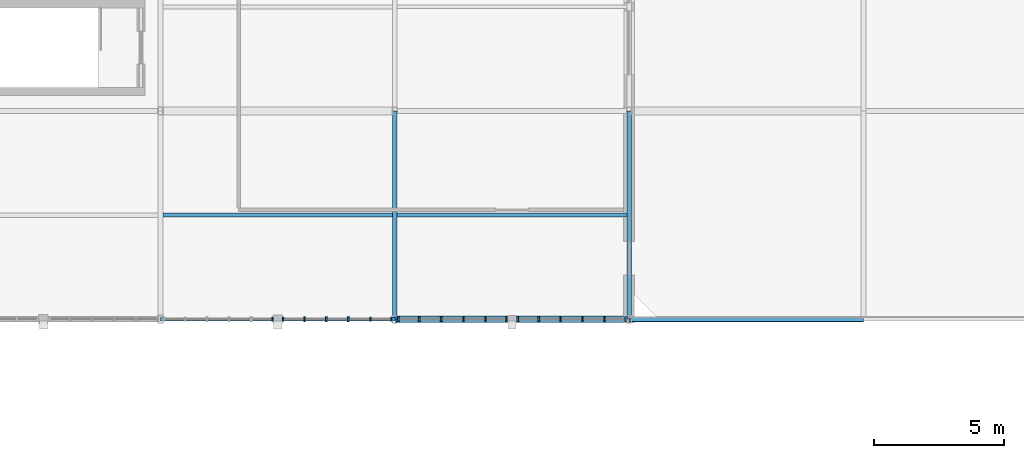
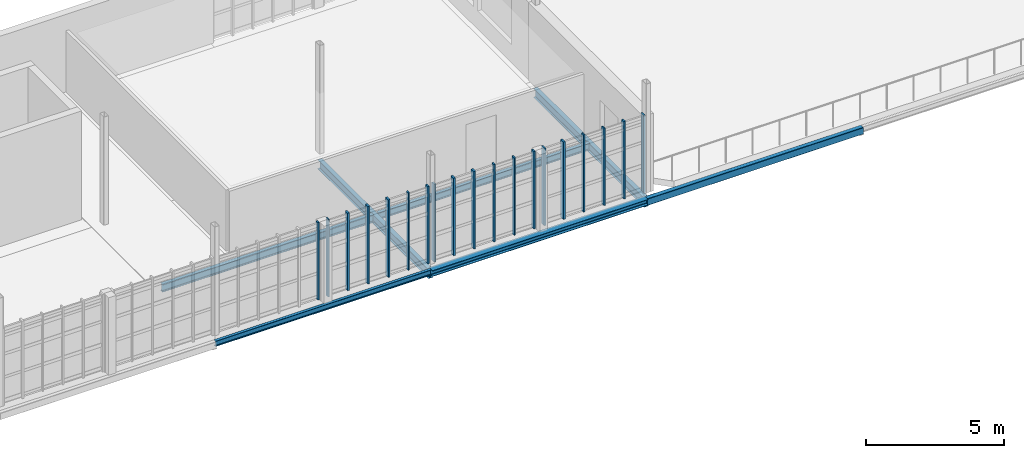
# One storey, part 24 of 128: 19 members, 7 beams, 4 elements without a shape of their own.
"""IFC4 building model written with IfcOpenShell, lengths in metres."""

from ifc_helpers import new_model, si_unit, direction, frame, origin, origin_2d, place, context, subcontext, project, spatial, rectangle, hollow_rectangle, i_section, extrude, material, material_profile, profile_set, type_object, element, aggregate, save


model = new_model("IFC4")

# Units and contexts
model_context = context("Model", 3, precision=1e-05, world=origin(), true_north=direction((0.0, 1.0)))
body_context = subcontext(model_context, "Body", "Model", "MODEL_VIEW")
ifc_project = project(units=[si_unit("LENGTHUNIT", "METRE"), si_unit("AREAUNIT", "SQUARE_METRE"), si_unit("VOLUMEUNIT", "CUBIC_METRE"), si_unit("PLANEANGLEUNIT", "RADIAN"), si_unit("MASSUNIT", "GRAM", prefix="KILO")], contexts=[model_context])

# Site, building, storey
site_placement = place(None, origin())
site = spatial("IfcSite", under=ifc_project, at=site_placement, CompositionType="ELEMENT")
building_placement = place(site_placement, origin())
building = spatial("IfcBuilding", under=site, at=building_placement, Name="Serraforn Aerial Cableway Station", CompositionType="ELEMENT")
storey_placement = place(building_placement, frame((0.0, 0.0, 9.0)))
storey = spatial("IfcBuildingStorey", under=building, at=storey_placement, Name="L02", CompositionType="ELEMENT", Elevation=9.0)

# Beams
ifc_material_1 = material(Name="Steel S355J2", Category="steel")
ifc_material_profile_1 = material_profile(ifc_material_1, i_section(OverallWidth=0.260009765625, OverallDepth=0.260009765625, WebThickness=0.010009765625, FlangeThickness=0.017578125, FilletRadius=0.02392578125, at=origin_2d()), Name="HEB 260")
ifc_profile_set_1 = profile_set([ifc_material_profile_1], Name="Steel S355J2")
beam_type_1 = type_object("IfcBeamType", Name="BM-ST-HEB260", PredefinedType="BEAM", material=ifc_profile_set_1)
beam_1_placement = place(storey_placement, frame((112.199951171875, 26.0, -0.449951171875), z_axis=(1.0, 0.0, 0.0), x_axis=(0.0, 1.0, 0.0)))
element("IfcBeam", 1, at=beam_1_placement, inside=storey, type_object=beam_type_1, Name="Grid Girder X EL L02 Y1-3", PredefinedType="BEAM", context=body_context, shape_type="SweptSolid", body=[
    extrude(i_section(OverallWidth=0.260009765625, OverallDepth=0.260009765625, WebThickness=0.010009765625, FlangeThickness=0.017578125, FilletRadius=0.02392578125, at=origin_2d()), origin(), (0.0, 0.0, 1.0), 9.0),
])
ifc_material_2 = material(Name="Steel S355JR", Category="steel")
ifc_material_profile_2 = material_profile(ifc_material_2, i_section(OverallWidth=0.1201171875, OverallDepth=0.239990234375, WebThickness=0.006103515625, FlangeThickness=0.009765625, FilletRadius=0.014892578125, at=origin_2d()), Name="IPE 240")
ifc_profile_set_2 = profile_set([ifc_material_profile_2], Name="Steel S355JR")
beam_type_2 = type_object("IfcBeamType", Name="BM-ST-IPE240", PredefinedType="SPANDREL", material=ifc_profile_set_2)
beam_2_placement = place(storey_placement, frame((103.199951171875, 26.0, -0.43994140625), z_axis=(1.0, 0.0, 0.0), x_axis=(0.0, 1.0, 0.0)))
element("IfcBeam", 2, at=beam_2_placement, inside=storey, type_object=beam_type_2, Name="Grid Girder X EL L02 Y1-2", PredefinedType="SPANDREL", context=body_context, shape_type="SweptSolid", body=[
    extrude(i_section(OverallWidth=0.1201171875, OverallDepth=0.239990234375, WebThickness=0.006103515625, FlangeThickness=0.009765625, FilletRadius=0.014892578125, at=origin_2d()), origin(), (0.0, 0.0, 1.0), 9.0),
])
ifc_material_profile_3 = material_profile(ifc_material_2, i_section(OverallWidth=0.14990234375, OverallDepth=0.300048828125, WebThickness=0.007080078125, FlangeThickness=0.0107421875, FilletRadius=0.014892578125, at=origin_2d()), Name="IPE 300")
ifc_profile_set_3 = profile_set([ifc_material_profile_3], Name="Steel S355JR")
beam_type_3 = type_object("IfcBeamType", Name="BM-ST-IPE300", PredefinedType="JOIST", material=ifc_profile_set_3)
beam_3_placement = place(storey_placement, frame((112.2900390625, 30.0, -0.425048828125), z_axis=(1.0, 0.0, 0.0), x_axis=(0.0, 1.0, 0.0)))
element("IfcBeam", 3, at=beam_3_placement, inside=storey, type_object=beam_type_3, Name="Floor Joist EL-L02-3-1-1", PredefinedType="JOIST", context=body_context, shape_type="SweptSolid", body=[
    extrude(i_section(OverallWidth=0.14990234375, OverallDepth=0.300048828125, WebThickness=0.007080078125, FlangeThickness=0.0107421875, FilletRadius=0.014892578125, at=origin_2d()), origin(), (0.0, 0.0, 1.0), 8.820068359375),
])
ifc_material_profile_4 = material_profile(ifc_material_2, i_section(OverallWidth=0.159912109375, OverallDepth=0.330078125, WebThickness=0.007568359375, FlangeThickness=0.011474609375, FilletRadius=0.01806640625, at=origin_2d()), Name="IPE 330")
ifc_profile_set_4 = profile_set([ifc_material_profile_4], Name="Steel S355JR")
beam_type_4 = type_object("IfcBeamType", Name="BM-ST-IPE330", PredefinedType="JOIST", material=ifc_profile_set_4)
beam_4_placement = place(storey_placement, frame((103.2900390625, 30.0, -0.43994140625), z_axis=(1.0, 0.0, 0.0), x_axis=(0.0, 1.0, 0.0)))
element("IfcBeam", 4, at=beam_4_placement, inside=storey, type_object=beam_type_4, Name="Floor Joist EL-L02-2-1-1", PredefinedType="JOIST", context=body_context, shape_type="SweptSolid", body=[
    extrude(i_section(OverallWidth=0.159912109375, OverallDepth=0.330078125, WebThickness=0.007568359375, FlangeThickness=0.011474609375, FilletRadius=0.01806640625, at=origin_2d()), origin(), (0.0, 0.0, 1.0), 8.820068359375),
])
ifc_material_profile_5 = material_profile(ifc_material_2, i_section(OverallWidth=0.179931640625, OverallDepth=0.39990234375, WebThickness=0.008544921875, FlangeThickness=0.013427734375, FilletRadius=0.02099609375, at=origin_2d()), Name="IPE 400")
ifc_profile_set_5 = profile_set([ifc_material_profile_5], Name="Steel S355JR")
beam_type_5 = type_object("IfcBeamType", Name="BM-ST-IPE400", PredefinedType="BEAM", material=ifc_profile_set_5)
for number, where, z_axis, x_axis, name in (
    (5, (112.199951171875, 26.0, -0.52001953125), (0.0, 1.0, 0.0), (-1.0, 0.0, 0.0), "Grid Girder Y EL L02 X3-1"),
    (6, (121.199951171875, 26.0, -0.52001953125), (0.0, 1.0, 0.0), (-1.0, 0.0, 0.0), "Grid Girder Y EL L02 X4-1"),
):
    element("IfcBeam", number, at=place(storey_placement, frame(where, z_axis=z_axis, x_axis=x_axis)), inside=storey, type_object=beam_type_5, Name=name, PredefinedType="BEAM", context=body_context, shape_type="SweptSolid", body=[
        extrude(i_section(OverallWidth=0.179931640625, OverallDepth=0.39990234375, WebThickness=0.008544921875, FlangeThickness=0.013427734375, FilletRadius=0.02099609375, at=origin_2d()), origin(), (0.0, 0.0, 1.0), 8.0),
    ])
ifc_material_profile_6 = material_profile(ifc_material_1, hollow_rectangle(XDim=0.199951171875, YDim=0.300048828125, WallThickness=0.012451171875, InnerFilletRadius=0.012451171875, OuterFilletRadius=0.02490234375, at=origin_2d()), Name="RHS 300x200x12.5")
ifc_profile_set_6 = profile_set([ifc_material_profile_6], Name="Steel S355J2")
beam_type_6 = type_object("IfcBeamType", Name="BM-ST-RHS300", PredefinedType="SPANDREL", material=ifc_profile_set_6)
beam_5_placement = place(storey_placement, frame((121.199951171875, 26.0, -0.469970703125), z_axis=(1.0, 0.0, 0.0), x_axis=(0.0, 1.0, 0.0)))
element("IfcBeam", 7, at=beam_5_placement, inside=storey, type_object=beam_type_6, Name="Grid Girder X EL L02 Y1-4", PredefinedType="SPANDREL", context=body_context, shape_type="SweptSolid", body=[
    extrude(hollow_rectangle(XDim=0.199951171875, YDim=0.300048828125, WallThickness=0.012451171875, InnerFilletRadius=0.012451171875, OuterFilletRadius=0.02490234375, at=origin_2d()), origin(), (0.0, 0.0, 1.0), 9.0),
])

# Curtain wall, member
ifc_material_3 = material(Name="Anodised bronze unitised curtain wall")
curtain_wall_type_1 = type_object("IfcCurtainWallType", Name="CW-SYS-25", PredefinedType="USERDEFINED", material=ifc_material_3)
curtain_wall_1_placement = place(storey_placement, origin())
curtain_wall_1 = element("IfcCurtainWall", 8, at=curtain_wall_1_placement, inside=storey, type_object=curtain_wall_type_1, Name="Unitised Curtain Wall CW-EL-L02-S2A", ObjectType="UNITISED CURTAIN WALL", PredefinedType="USERDEFINED")
ifc_material_4 = material(Name="Anodised bronze extruded aluminium", Category="aluminium")
ifc_material_profile_7 = material_profile(ifc_material_4, rectangle(XDim=0.054931640625, YDim=0.139892578125, at=origin_2d()), Name="CW MULLION 55x140")
ifc_profile_set_7 = profile_set([ifc_material_profile_7], Name="Anodised bronze extruded aluminium")
member_type_1 = type_object("IfcMemberType", Name="CW-MUL-1", PredefinedType="MULLION", material=ifc_profile_set_7)
member_1_placement = place(storey_placement, frame((107.492431640625, 26.0, 0.0), z_axis=(0.0, 0.0, 1.0), x_axis=(1.0, 0.0, 0.0)))
member_1 = element("IfcMember", 9, at=member_1_placement, type_object=member_type_1, Name="Curtain Wall Mullion CW-EL-L02-S2A-M6", PredefinedType="MULLION", context=body_context, shape_type="SweptSolid", body=[
    extrude(rectangle(XDim=0.054931640625, YDim=0.139892578125, at=origin_2d()), origin(), (0.0, 0.0, 1.0), 3.419921875),
])
aggregate(curtain_wall_1, [member_1])

curtain_wall_type_2 = type_object("IfcCurtainWallType", Name="CW-SYS-26", PredefinedType="USERDEFINED", material=ifc_material_3)
curtain_wall_2_placement = place(storey_placement, origin())
curtain_wall_2 = element("IfcCurtainWall", 10, at=curtain_wall_2_placement, inside=storey, type_object=curtain_wall_type_2, Name="Unitised Curtain Wall CW-EL-L02-S2B", ObjectType="UNITISED CURTAIN WALL", PredefinedType="USERDEFINED")
member_2_placement = place(storey_placement, frame((111.257568359375, 26.0, 0.0), z_axis=(0.0, 0.0, 1.0), x_axis=(1.0, 0.0, 0.0)))
member_2 = element("IfcMember", 11, at=member_2_placement, type_object=member_type_1, Name="Curtain Wall Mullion CW-EL-L02-S2B-M5", PredefinedType="MULLION", context=body_context, shape_type="SweptSolid", body=[
    extrude(rectangle(XDim=0.054931640625, YDim=0.139892578125, at=origin_2d()), origin(), (0.0, 0.0, 1.0), 3.419921875),
])

curtain_wall_type_3 = type_object("IfcCurtainWallType", Name="CW-SYS-27", PredefinedType="USERDEFINED", material=ifc_material_3)
curtain_wall_3_placement = place(storey_placement, origin())
curtain_wall_3 = element("IfcCurtainWall", 12, at=curtain_wall_3_placement, inside=storey, type_object=curtain_wall_type_3, Name="Unitised Curtain Wall CW-EL-L02-S3A", ObjectType="UNITISED CURTAIN WALL", PredefinedType="USERDEFINED")
member_3_placement = place(storey_placement, frame((114.831298828125, 26.0, 0.0), z_axis=(0.0, 0.0, 1.0), x_axis=(1.0, 0.0, 0.0)))
member_3 = element("IfcMember", 13, at=member_3_placement, type_object=member_type_1, Name="Curtain Wall Mullion CW-EL-L02-S3A-M4", PredefinedType="MULLION", context=body_context, shape_type="SweptSolid", body=[
    extrude(rectangle(XDim=0.054931640625, YDim=0.139892578125, at=origin_2d()), origin(), (0.0, 0.0, 1.0), 3.419921875),
])

curtain_wall_type_4 = type_object("IfcCurtainWallType", Name="CW-SYS-28", PredefinedType="USERDEFINED", material=ifc_material_3)
curtain_wall_4_placement = place(storey_placement, origin())
curtain_wall_4 = element("IfcCurtainWall", 14, at=curtain_wall_4_placement, inside=storey, type_object=curtain_wall_type_4, Name="Unitised Curtain Wall CW-EL-L02-S3B", ObjectType="UNITISED CURTAIN WALL", PredefinedType="USERDEFINED")
member_4_placement = place(storey_placement, frame((118.56884765625, 26.0, 0.0), z_axis=(0.0, 0.0, 1.0), x_axis=(1.0, 0.0, 0.0)))
member_4 = element("IfcMember", 15, at=member_4_placement, type_object=member_type_1, Name="Curtain Wall Mullion CW-EL-L02-S3B-M3", PredefinedType="MULLION", context=body_context, shape_type="SweptSolid", body=[
    extrude(rectangle(XDim=0.054931640625, YDim=0.139892578125, at=origin_2d()), origin(), (0.0, 0.0, 1.0), 3.419921875),
])

# Member
ifc_material_profile_8 = material_profile(ifc_material_4, rectangle(XDim=0.06005859375, YDim=0.159912109375, at=origin_2d()), Name="CW MULLION 60x160")
ifc_profile_set_8 = profile_set([ifc_material_profile_8], Name="Anodised bronze extruded aluminium")
member_type_2 = type_object("IfcMemberType", Name="CW-MUL-2", PredefinedType="MULLION", material=ifc_profile_set_8)
member_5_placement = place(storey_placement, frame((107.909912109375, 26.0, 0.0), z_axis=(0.0, 0.0, 1.0), x_axis=(1.0, 0.0, 0.0)))
member_5 = element("IfcMember", 16, at=member_5_placement, type_object=member_type_2, Name="Curtain Wall Mullion CW-EL-L02-S2B-M1", PredefinedType="MULLION", context=body_context, shape_type="SweptSolid", body=[
    extrude(rectangle(XDim=0.06005859375, YDim=0.159912109375, at=origin_2d()), origin(), (0.0, 0.0, 1.0), 3.419921875),
])

member_6_placement = place(storey_placement, frame((112.072021484375, 26.0, 0.0), z_axis=(0.0, 0.0, 1.0), x_axis=(1.0, 0.0, 0.0)))
member_6 = element("IfcMember", 17, at=member_6_placement, type_object=member_type_2, Name="Curtain Wall Mullion CW-EL-L02-S2B-M6", PredefinedType="MULLION", context=body_context, shape_type="SweptSolid", body=[
    extrude(rectangle(XDim=0.06005859375, YDim=0.159912109375, at=origin_2d()), origin(), (0.0, 0.0, 1.0), 3.419921875),
])

member_7_placement = place(storey_placement, frame((115.675537109375, 26.0, 0.0), z_axis=(0.0, 0.0, 1.0), x_axis=(1.0, 0.0, 0.0)))
member_7 = element("IfcMember", 18, at=member_7_placement, type_object=member_type_2, Name="Curtain Wall Mullion CW-EL-L02-S3A-M5", PredefinedType="MULLION", context=body_context, shape_type="SweptSolid", body=[
    extrude(rectangle(XDim=0.06005859375, YDim=0.159912109375, at=origin_2d()), origin(), (0.0, 0.0, 1.0), 3.419921875),
])

member_8_placement = place(storey_placement, frame((119.4130859375, 26.0, 0.0), z_axis=(0.0, 0.0, 1.0), x_axis=(1.0, 0.0, 0.0)))
member_8 = element("IfcMember", 19, at=member_8_placement, type_object=member_type_2, Name="Curtain Wall Mullion CW-EL-L02-S3B-M4", PredefinedType="MULLION", context=body_context, shape_type="SweptSolid", body=[
    extrude(rectangle(XDim=0.06005859375, YDim=0.159912109375, at=origin_2d()), origin(), (0.0, 0.0, 1.0), 3.419921875),
])

ifc_material_profile_9 = material_profile(ifc_material_4, rectangle(XDim=0.06494140625, YDim=0.175048828125, at=origin_2d()), Name="CW MULLION 65x175")
ifc_profile_set_9 = profile_set([ifc_material_profile_9], Name="Anodised bronze extruded aluminium")
member_type_3 = type_object("IfcMemberType", Name="CW-MUL-3", PredefinedType="MULLION", material=ifc_profile_set_9)
member_9_placement = place(storey_placement, frame((108.724365234375, 26.0, 0.0), z_axis=(0.0, 0.0, 1.0), x_axis=(1.0, 0.0, 0.0)))
member_9 = element("IfcMember", 20, at=member_9_placement, type_object=member_type_3, Name="Curtain Wall Mullion CW-EL-L02-S2B-M2", PredefinedType="MULLION", context=body_context, shape_type="SweptSolid", body=[
    extrude(rectangle(XDim=0.06494140625, YDim=0.175048828125, at=origin_2d()), origin(), (0.0, 0.0, 1.0), 3.419921875),
])

member_10_placement = place(storey_placement, frame((112.33056640625, 26.0, 0.0), z_axis=(0.0, 0.0, 1.0), x_axis=(1.0, 0.0, 0.0)))
member_10 = element("IfcMember", 21, at=member_10_placement, type_object=member_type_3, Name="Curtain Wall Mullion CW-EL-L02-S3A-M1", PredefinedType="MULLION", context=body_context, shape_type="SweptSolid", body=[
    extrude(rectangle(XDim=0.06494140625, YDim=0.175048828125, at=origin_2d()), origin(), (0.0, 0.0, 1.0), 3.419921875),
])

member_11_placement = place(storey_placement, frame((116.487548828125, 26.0, 0.0), z_axis=(0.0, 0.0, 1.0), x_axis=(1.0, 0.0, 0.0)))
member_11 = element("IfcMember", 22, at=member_11_placement, type_object=member_type_3, Name="Curtain Wall Mullion CW-EL-L02-S3A-M6", PredefinedType="MULLION", context=body_context, shape_type="SweptSolid", body=[
    extrude(rectangle(XDim=0.06494140625, YDim=0.175048828125, at=origin_2d()), origin(), (0.0, 0.0, 1.0), 3.419921875),
])

member_12_placement = place(storey_placement, frame((120.257568359375, 26.0, 0.0), z_axis=(0.0, 0.0, 1.0), x_axis=(1.0, 0.0, 0.0)))
member_12 = element("IfcMember", 23, at=member_12_placement, type_object=member_type_3, Name="Curtain Wall Mullion CW-EL-L02-S3B-M5", PredefinedType="MULLION", context=body_context, shape_type="SweptSolid", body=[
    extrude(rectangle(XDim=0.06494140625, YDim=0.175048828125, at=origin_2d()), origin(), (0.0, 0.0, 1.0), 3.419921875),
])

ifc_material_profile_10 = material_profile(ifc_material_4, rectangle(XDim=0.070068359375, YDim=0.18994140625, at=origin_2d()), Name="CW MULLION 70x190")
ifc_profile_set_10 = profile_set([ifc_material_profile_10], Name="Anodised bronze extruded aluminium")
member_type_4 = type_object("IfcMemberType", Name="CW-MUL-4", PredefinedType="MULLION", material=ifc_profile_set_10)
member_13_placement = place(storey_placement, frame((109.56884765625, 26.0, 0.0), z_axis=(0.0, 0.0, 1.0), x_axis=(1.0, 0.0, 0.0)))
member_13 = element("IfcMember", 24, at=member_13_placement, type_object=member_type_4, Name="Curtain Wall Mullion CW-EL-L02-S2B-M3", PredefinedType="MULLION", context=body_context, shape_type="SweptSolid", body=[
    extrude(rectangle(XDim=0.070068359375, YDim=0.18994140625, at=origin_2d()), origin(), (0.0, 0.0, 1.0), 3.419921875),
])

member_14_placement = place(storey_placement, frame((113.142333984375, 26.0, 0.0), z_axis=(0.0, 0.0, 1.0), x_axis=(1.0, 0.0, 0.0)))
member_14 = element("IfcMember", 25, at=member_14_placement, type_object=member_type_4, Name="Curtain Wall Mullion CW-EL-L02-S3A-M2", PredefinedType="MULLION", context=body_context, shape_type="SweptSolid", body=[
    extrude(rectangle(XDim=0.070068359375, YDim=0.18994140625, at=origin_2d()), origin(), (0.0, 0.0, 1.0), 3.419921875),
])

member_15_placement = place(storey_placement, frame((116.9150390625, 26.0, 0.0), z_axis=(0.0, 0.0, 1.0), x_axis=(1.0, 0.0, 0.0)))
member_15 = element("IfcMember", 26, at=member_15_placement, type_object=member_type_4, Name="Curtain Wall Mullion CW-EL-L02-S3B-M1", PredefinedType="MULLION", context=body_context, shape_type="SweptSolid", body=[
    extrude(rectangle(XDim=0.070068359375, YDim=0.18994140625, at=origin_2d()), origin(), (0.0, 0.0, 1.0), 3.419921875),
])

member_16_placement = place(storey_placement, frame((121.06689453125, 26.0, 0.0), z_axis=(0.0, 0.0, 1.0), x_axis=(1.0, 0.0, 0.0)))
member_16 = element("IfcMember", 27, at=member_16_placement, type_object=member_type_4, Name="Curtain Wall Mullion CW-EL-L02-S3B-M6", PredefinedType="MULLION", context=body_context, shape_type="SweptSolid", body=[
    extrude(rectangle(XDim=0.070068359375, YDim=0.18994140625, at=origin_2d()), origin(), (0.0, 0.0, 1.0), 3.419921875),
])

ifc_material_profile_11 = material_profile(ifc_material_4, rectangle(XDim=0.074951171875, YDim=0.199951171875, at=origin_2d()), Name="CW MULLION 75x200")
ifc_profile_set_11 = profile_set([ifc_material_profile_11], Name="Anodised bronze extruded aluminium")
member_type_5 = type_object("IfcMemberType", Name="CW-MUL-5", PredefinedType="MULLION", material=ifc_profile_set_11)
member_17_placement = place(storey_placement, frame((110.4130859375, 26.0, 0.0), z_axis=(0.0, 0.0, 1.0), x_axis=(1.0, 0.0, 0.0)))
member_17 = element("IfcMember", 28, at=member_17_placement, type_object=member_type_5, Name="Curtain Wall Mullion CW-EL-L02-S2B-M4", PredefinedType="MULLION", context=body_context, shape_type="SweptSolid", body=[
    extrude(rectangle(XDim=0.074951171875, YDim=0.199951171875, at=origin_2d()), origin(), (0.0, 0.0, 1.0), 3.419921875),
])

aggregate(curtain_wall_2, [member_5, member_9, member_13, member_17, member_2, member_6])

member_18_placement = place(storey_placement, frame((113.98681640625, 26.0, 0.0), z_axis=(0.0, 0.0, 1.0), x_axis=(1.0, 0.0, 0.0)))
member_18 = element("IfcMember", 29, at=member_18_placement, type_object=member_type_5, Name="Curtain Wall Mullion CW-EL-L02-S3A-M3", PredefinedType="MULLION", context=body_context, shape_type="SweptSolid", body=[
    extrude(rectangle(XDim=0.074951171875, YDim=0.199951171875, at=origin_2d()), origin(), (0.0, 0.0, 1.0), 3.419921875),
])

aggregate(curtain_wall_3, [member_10, member_14, member_18, member_3, member_7, member_11])

member_19_placement = place(storey_placement, frame((117.724365234375, 26.0, 0.0), z_axis=(0.0, 0.0, 1.0), x_axis=(1.0, 0.0, 0.0)))
member_19 = element("IfcMember", 30, at=member_19_placement, type_object=member_type_5, Name="Curtain Wall Mullion CW-EL-L02-S3B-M2", PredefinedType="MULLION", context=body_context, shape_type="SweptSolid", body=[
    extrude(rectangle(XDim=0.074951171875, YDim=0.199951171875, at=origin_2d()), origin(), (0.0, 0.0, 1.0), 3.419921875),
])

aggregate(curtain_wall_4, [member_15, member_19, member_4, member_8, member_12, member_16])

save(model, "model.ifc")
